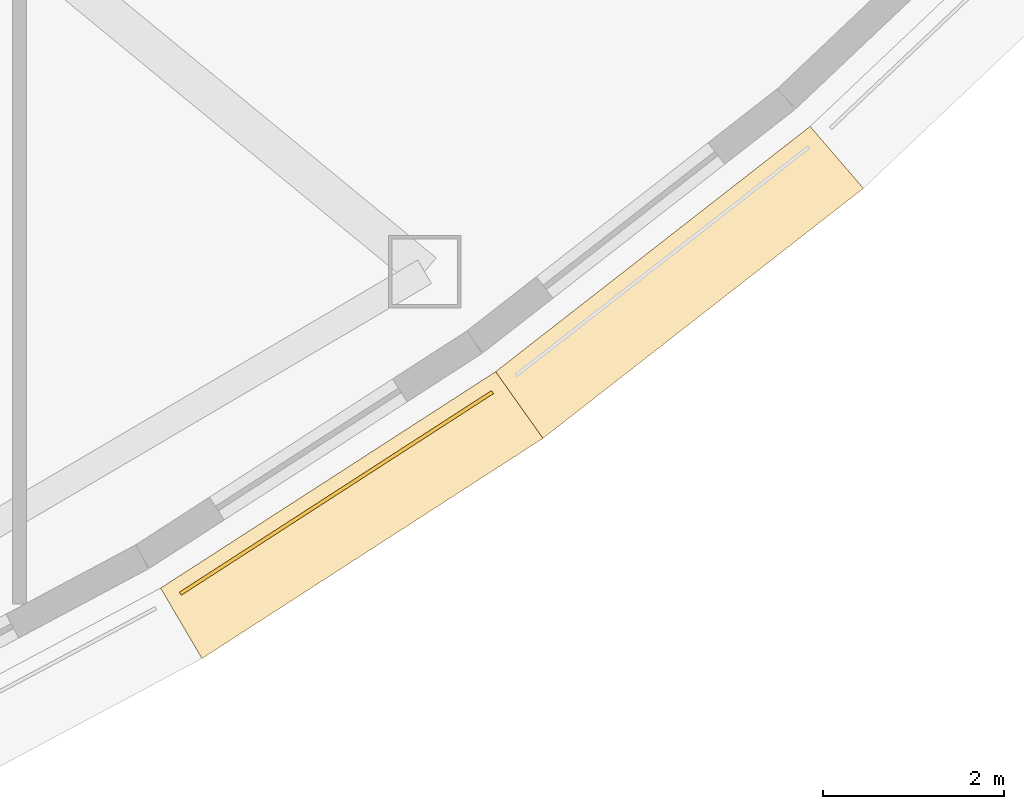
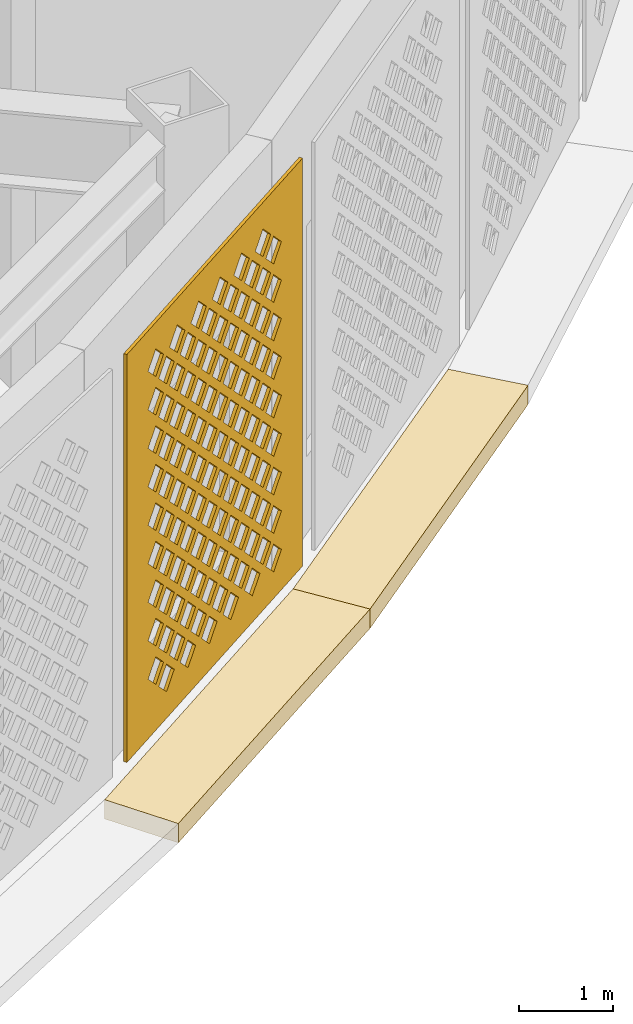
# One storey, part 68 of 74: 3 coverings.
"""IFC4 building model written with IfcOpenShell, lengths in metres."""

import ifcopenshell
import ifcopenshell.guid

model = None  # the IFC model being written
_history = None  # IfcOwnerHistory: only IFC2X3 demands one
_inside = {}  # id of a spatial element -> (the spatial element, [elements in it])
_under = {}  # id of a project, library or spatial element -> (it, [spatial elements below it])
_declared = {}  # id of a project -> (the project, [libraries it declares])
_typed = {}  # id of a type object -> (the type object, [elements of that type])
_made_of = {}  # id of a material, layer set ... -> (it, [elements and type objects made of it])


def new_model(schema):
    """Start an empty IFC model of exactly this schema.

    Asked for "IFC4X3", IfcOpenShell would pick the latest addendum, in which some entities
    have other attributes; the version numbers below select the first issue.
    IFC2X3 requires an IfcOwnerHistory on every rooted entity: one is made here for all.
    """
    global model, _history
    if schema == "IFC4X3":
        model = ifcopenshell.file(schema_version=(4, 3, 0, 0))
    else:
        model = ifcopenshell.file(schema=schema)
    _inside.clear()
    _under.clear()
    _declared.clear()
    _typed.clear()
    _made_of.clear()
    _history = None
    if model.schema == "IFC2X3":
        org = make("IfcOrganization", Name="unknown")
        user = make(
            "IfcPersonAndOrganization",
            ThePerson=make("IfcPerson", FamilyName="unknown"),
            TheOrganization=org,
        )
        app = make(
            "IfcApplication",
            ApplicationDeveloper=org,
            Version="unknown",
            ApplicationFullName="unknown",
            ApplicationIdentifier="unknown",
        )
        _history = make(
            "IfcOwnerHistory",
            OwningUser=user,
            OwningApplication=app,
            ChangeAction="ADDED",
            CreationDate=0,
        )
    return model


def make(cls, **values):
    """One entity of the class cls with the attributes given. An attribute that is None is left unset."""
    return model.create_entity(
        cls, **{name: value for name, value in values.items() if value is not None}
    )


def rooted(cls, **values):
    """An entity with a GlobalId (a new one), such as an element, a storey or a relation."""
    return make(cls, GlobalId=ifcopenshell.guid.new(), OwnerHistory=_history, **values)


def si_unit(unit_type, name, prefix=None):
    """IfcSIUnit, for example si_unit("LENGTHUNIT", "METRE", prefix="MILLI")."""
    return make("IfcSIUnit", UnitType=unit_type, Prefix=prefix, Name=name)


def assignment(units):
    """IfcUnitAssignment: the units of a project."""
    return None if units is None else make("IfcUnitAssignment", Units=units)


def point(xyz):
    """IfcCartesianPoint."""
    return None if xyz is None else make("IfcCartesianPoint", Coordinates=xyz)


def direction(xyz):
    """IfcDirection."""
    return None if xyz is None else make("IfcDirection", DirectionRatios=xyz)


def frame(location, z_axis=None, x_axis=None):
    """IfcAxis2Placement3D, a coordinate frame: its origin and axes. An axis left out is left unset."""
    return make(
        "IfcAxis2Placement3D",
        Location=point(location),
        Axis=direction(z_axis),
        RefDirection=direction(x_axis),
    )


def origin():
    """The frame at (0, 0, 0) with its axes left unset."""
    return frame((0.0, 0.0, 0.0))


def place(relative_to, where):
    """IfcLocalPlacement: puts the frame where relative to a parent placement (None: the world)."""
    return make(
        "IfcLocalPlacement", PlacementRelTo=relative_to, RelativePlacement=where
    )


def context(
    kind, dimensions, precision=None, world=None, true_north=None, identifier=None
):
    """IfcGeometricRepresentationContext, for example the 3D "Model" context."""
    return make(
        "IfcGeometricRepresentationContext",
        ContextIdentifier=identifier,
        ContextType=kind,
        CoordinateSpaceDimension=dimensions,
        Precision=precision,
        WorldCoordinateSystem=world,
        TrueNorth=true_north,
    )


def subcontext(parent, identifier, kind, view, scale=None):
    """IfcGeometricRepresentationSubContext, for example "Body" below "Model"."""
    return make(
        "IfcGeometricRepresentationSubContext",
        ContextIdentifier=identifier,
        ContextType=kind,
        ParentContext=parent,
        TargetScale=scale,
        TargetView=view,
    )


def project(units=None, contexts=None):
    """IfcProject with its units and contexts."""
    return rooted(
        "IfcProject",
        Name="project",
        RepresentationContexts=contexts,
        UnitsInContext=assignment(units),
    )


def spatial(cls, under=None, at=None, **own):
    """A site, building, storey or space (cls), placed at a placement, below another one or the project."""
    s = rooted(cls, ObjectPlacement=at, **own)
    if under is not None:
        _under.setdefault(under.id(), (under, []))[1].append(s)
    return s


def polyline(points):
    """IfcPolyline through the points."""
    return make("IfcPolyline", Points=[point(p) for p in points])


def outline(outer, holes=None, kind="AREA"):
    """IfcArbitraryClosedProfileDef: a profile drawn as a closed curve; with holes, ...WithVoids."""
    if holes is None:
        return make("IfcArbitraryClosedProfileDef", ProfileType=kind, OuterCurve=outer)
    return make(
        "IfcArbitraryProfileDefWithVoids",
        ProfileType=kind,
        OuterCurve=outer,
        InnerCurves=holes,
    )


def extrude(swept, where, along, depth):
    """IfcExtrudedAreaSolid: the profile swept, set in the frame where, extruded along a direction by depth."""
    return make(
        "IfcExtrudedAreaSolid",
        SweptArea=swept,
        Position=where,
        ExtrudedDirection=direction(along),
        Depth=depth,
    )


def shape(context_of_items, identifier, shape_type, items):
    """IfcShapeRepresentation: the items that make up one representation, for example the "Body"."""
    return make(
        "IfcShapeRepresentation",
        ContextOfItems=context_of_items,
        RepresentationIdentifier=identifier,
        RepresentationType=shape_type,
        Items=items,
    )


def material(Name=None, Category=None):
    """IfcMaterial."""
    return make("IfcMaterial", Name=Name, Category=Category)


def layer(
    of_material, thickness, ventilated=None, Name=None, Category=None, Priority=None
):
    """IfcMaterialLayer: one layer of a wall or slab, of a material (None: an air gap)."""
    return make(
        "IfcMaterialLayer",
        Material=of_material,
        LayerThickness=thickness,
        IsVentilated=ventilated,
        Name=Name,
        Category=Category,
        Priority=Priority,
    )


def layer_set(layers, Name=None):
    """IfcMaterialLayerSet."""
    return make("IfcMaterialLayerSet", MaterialLayers=layers, LayerSetName=Name)


def made_of(thing, what):
    """Note that an element or type object is made of a material, layer set ...; save() writes the relation."""
    if what is not None:
        _made_of.setdefault(what.id(), (what, []))[1].append(thing)
    return thing


def type_object(cls, material=None, **own):
    """A type object (cls), such as IfcWallType, which elements share."""
    return made_of(rooted(cls, **own), material)


def element(
    cls,
    number,
    at=None,
    inside=None,
    cuts=None,
    type_object=None,
    material=None,
    context=None,
    identifier="Body",
    shape_type=None,
    held_by="IfcProductDefinitionShape",
    body=None,
    shapes=None,
    **own,
):
    """One element of the class cls, such as IfcWall. Its Tag is "e" and its number.

    at: its placement. inside: the storey or other place that contains it. cuts: it is an
    opening in that element (IfcRelVoidsElement). A single representation is given by context,
    identifier, shape_type and body (its items); several are given by shapes. held_by: the class
    of the entity that holds the representations. save() writes the other relations.
    """
    e = rooted(cls, Tag="e%d" % number, ObjectPlacement=at, **own)
    if body is not None:
        shapes = [shape(context, identifier, shape_type, body)]
    if shapes is not None:
        e.Representation = make(held_by, Representations=shapes)
    if inside is not None:
        _inside.setdefault(inside.id(), (inside, []))[1].append(e)
    if cuts is not None:
        rooted(
            "IfcRelVoidsElement", RelatingBuildingElement=cuts, RelatedOpeningElement=e
        )
    if type_object is not None:
        _typed.setdefault(type_object.id(), (type_object, []))[1].append(e)
    return made_of(e, material)


def aggregate(whole, parts):
    """IfcRelAggregates: a whole, such as a stair, and the parts it consists of."""
    return rooted("IfcRelAggregates", RelatingObject=whole, RelatedObjects=parts)


def save(model, path):
    """Write the relations noted so far, then the file.

    IfcRelAggregates (storeys below a building ...), IfcRelContainedInSpatialStructure (elements
    in a storey), IfcRelDefinesByType, IfcRelAssociatesMaterial and IfcRelDeclares: one each for
    every whole, place, type object, material and project.
    """
    for whole, parts in _under.values():
        aggregate(whole, parts)
    for where, things in _inside.values():
        rooted(
            "IfcRelContainedInSpatialStructure",
            RelatedElements=things,
            RelatingStructure=where,
        )
    for kind, things in _typed.values():
        rooted("IfcRelDefinesByType", RelatedObjects=things, RelatingType=kind)
    for what, things in _made_of.values():
        rooted("IfcRelAssociatesMaterial", RelatedObjects=things, RelatingMaterial=what)
    for by, libraries in _declared.values():
        rooted("IfcRelDeclares", RelatingContext=by, RelatedDefinitions=libraries)
    model.write(path)


model = new_model("IFC4")

# Units and contexts
model_context = context("Model", 3, precision=1e-05, world=origin(), true_north=direction((0.0, 1.0)))
body_context = subcontext(model_context, "Body", "Model", "MODEL_VIEW")
ifc_project = project(units=[si_unit("LENGTHUNIT", "METRE"), si_unit("AREAUNIT", "SQUARE_METRE"), si_unit("VOLUMEUNIT", "CUBIC_METRE"), si_unit("PLANEANGLEUNIT", "RADIAN"), si_unit("MASSUNIT", "GRAM", prefix="KILO")], contexts=[model_context])

# Site, building, storey
site_placement = place(None, origin())
site = spatial("IfcSite", under=ifc_project, at=site_placement, CompositionType="ELEMENT")
building_placement = place(site_placement, origin())
building = spatial("IfcBuilding", under=site, at=building_placement, Name="Noorbagh Ring Tower", CompositionType="ELEMENT")
storey_placement = place(building_placement, frame((0.0, 0.0, 13.5)))
storey = spatial("IfcBuildingStorey", under=building, at=storey_placement, Name="L02", CompositionType="ELEMENT", Elevation=13.5)

# Coverings
ifc_material_1 = material(Name="Red sandstone eave", Category="masonry")
covering_type_1 = type_object("IfcCoveringType", Name="STY-CHHAJJA", PredefinedType="USERDEFINED", material=ifc_material_1)
covering_1_placement = place(storey_placement, frame((0.0, 0.0, -0.25)))
element("IfcCovering", 1, at=covering_1_placement, inside=storey, type_object=covering_type_1, Name="Chhajja eave", ObjectType="CHHAJJA", PredefinedType="USERDEFINED", context=body_context, shape_type="SweptSolid", body=[
    extrude(outline(polyline([(31.5546875, -31.793701171875), (35.247802734375, -29.408203125), (35.769775390625, -30.142578125), (32.011474609375, -32.56982421875), (31.5546875, -31.793701171875)])), origin(), (0.0, 0.0, 1.0), 0.25),
])
covering_2_placement = place(storey_placement, frame((0.0, 0.0, -0.25)))
element("IfcCovering", 2, at=covering_2_placement, inside=storey, type_object=covering_type_1, Name="Chhajja eave", ObjectType="CHHAJJA", PredefinedType="USERDEFINED", context=body_context, shape_type="SweptSolid", body=[
    extrude(outline(polyline([(35.247802734375, -29.408203125), (38.71435546875, -26.70458984375), (39.3017578125, -27.3876953125), (35.769775390625, -30.142578125), (35.247802734375, -29.408203125)])), origin(), (0.0, 0.0, 1.0), 0.25),
])
ifc_material_2 = material(Name="Red sandstone jali", Category="masonry")
ifc_layer = layer(ifc_material_2, 0.0400390625)
ifc_layer_set = layer_set([ifc_layer], Name="Red sandstone jali")
covering_type_2 = type_object("IfcCoveringType", Name="STY-JALI", PredefinedType="USERDEFINED", material=ifc_layer_set)
covering_3_placement = place(storey_placement, frame((31.78369140625, -31.871826171875, 0.449951171875), z_axis=(0.542524555296, -0.840039943634, 0.0), x_axis=(0.840039943634, 0.542524555296, 0.0)))
element("IfcCovering", 3, at=covering_3_placement, inside=storey, type_object=covering_type_2, Name="Jali screen", ObjectType="SCREEN", PredefinedType="USERDEFINED", context=body_context, shape_type="SweptSolid", body=[
    extrude(outline(polyline([(0.0, 0.0), (4.096435546875, 0.0), (4.096435546875, 5.300048828125), (0.0, 5.300048828125), (0.0, 0.0)]), holes=[polyline([(0.7431640625, 0.52490234375), (0.923095703125, 0.344970703125), (1.103271484375, 0.52490234375), (0.923095703125, 0.705078125), (0.7431640625, 0.52490234375)]), polyline([(1.2431640625, 0.52490234375), (1.423095703125, 0.344970703125), (1.603271484375, 0.52490234375), (1.423095703125, 0.705078125), (1.2431640625, 0.52490234375)]), polyline([(1.7431640625, 0.52490234375), (1.923095703125, 0.344970703125), (2.103271484375, 0.52490234375), (1.923095703125, 0.705078125), (1.7431640625, 0.52490234375)]), polyline([(2.2431640625, 0.52490234375), (2.423095703125, 0.344970703125), (2.603271484375, 0.52490234375), (2.423095703125, 0.705078125), (2.2431640625, 0.52490234375)]), polyline([(2.7431640625, 0.52490234375), (2.923095703125, 0.344970703125), (3.103271484375, 0.52490234375), (2.923095703125, 0.705078125), (2.7431640625, 0.52490234375)]), polyline([(3.2431640625, 0.52490234375), (3.423095703125, 0.344970703125), (3.603271484375, 0.52490234375), (3.423095703125, 0.705078125), (3.2431640625, 0.52490234375)]), polyline([(0.4931640625, 0.77490234375), (0.673095703125, 0.594970703125), (0.853271484375, 0.77490234375), (0.673095703125, 0.955078125), (0.4931640625, 0.77490234375)]), polyline([(0.9931640625, 0.77490234375), (1.173095703125, 0.594970703125), (1.353271484375, 0.77490234375), (1.173095703125, 0.955078125), (0.9931640625, 0.77490234375)]), polyline([(1.4931640625, 0.77490234375), (1.673095703125, 0.594970703125), (1.853271484375, 0.77490234375), (1.673095703125, 0.955078125), (1.4931640625, 0.77490234375)]), polyline([(1.9931640625, 0.77490234375), (2.173095703125, 0.594970703125), (2.353271484375, 0.77490234375), (2.173095703125, 0.955078125), (1.9931640625, 0.77490234375)]), polyline([(2.4931640625, 0.77490234375), (2.673095703125, 0.594970703125), (2.853271484375, 0.77490234375), (2.673095703125, 0.955078125), (2.4931640625, 0.77490234375)]), polyline([(2.9931640625, 0.77490234375), (3.173095703125, 0.594970703125), (3.353271484375, 0.77490234375), (3.173095703125, 0.955078125), (2.9931640625, 0.77490234375)]), polyline([(0.7431640625, 1.02490234375), (0.923095703125, 0.844970703125), (1.103271484375, 1.02490234375), (0.923095703125, 1.205078125), (0.7431640625, 1.02490234375)]), polyline([(1.2431640625, 1.02490234375), (1.423095703125, 0.844970703125), (1.603271484375, 1.02490234375), (1.423095703125, 1.205078125), (1.2431640625, 1.02490234375)]), polyline([(1.7431640625, 1.02490234375), (1.923095703125, 0.844970703125), (2.103271484375, 1.02490234375), (1.923095703125, 1.205078125), (1.7431640625, 1.02490234375)]), polyline([(2.2431640625, 1.02490234375), (2.423095703125, 0.844970703125), (2.603271484375, 1.02490234375), (2.423095703125, 1.205078125), (2.2431640625, 1.02490234375)]), polyline([(2.7431640625, 1.02490234375), (2.923095703125, 0.844970703125), (3.103271484375, 1.02490234375), (2.923095703125, 1.205078125), (2.7431640625, 1.02490234375)]), polyline([(3.2431640625, 1.02490234375), (3.423095703125, 0.844970703125), (3.603271484375, 1.02490234375), (3.423095703125, 1.205078125), (3.2431640625, 1.02490234375)]), polyline([(0.4931640625, 1.27490234375), (0.673095703125, 1.094970703125), (0.853271484375, 1.27490234375), (0.673095703125, 1.455078125), (0.4931640625, 1.27490234375)]), polyline([(0.9931640625, 1.27490234375), (1.173095703125, 1.094970703125), (1.353271484375, 1.27490234375), (1.173095703125, 1.455078125), (0.9931640625, 1.27490234375)]), polyline([(1.4931640625, 1.27490234375), (1.673095703125, 1.094970703125), (1.853271484375, 1.27490234375), (1.673095703125, 1.455078125), (1.4931640625, 1.27490234375)]), polyline([(1.9931640625, 1.27490234375), (2.173095703125, 1.094970703125), (2.353271484375, 1.27490234375), (2.173095703125, 1.455078125), (1.9931640625, 1.27490234375)]), polyline([(2.4931640625, 1.27490234375), (2.673095703125, 1.094970703125), (2.853271484375, 1.27490234375), (2.673095703125, 1.455078125), (2.4931640625, 1.27490234375)]), polyline([(2.9931640625, 1.27490234375), (3.173095703125, 1.094970703125), (3.353271484375, 1.27490234375), (3.173095703125, 1.455078125), (2.9931640625, 1.27490234375)]), polyline([(0.7431640625, 1.52490234375), (0.923095703125, 1.344970703125), (1.103271484375, 1.52490234375), (0.923095703125, 1.705078125), (0.7431640625, 1.52490234375)]), polyline([(1.2431640625, 1.52490234375), (1.423095703125, 1.344970703125), (1.603271484375, 1.52490234375), (1.423095703125, 1.705078125), (1.2431640625, 1.52490234375)]), polyline([(1.7431640625, 1.52490234375), (1.923095703125, 1.344970703125), (2.103271484375, 1.52490234375), (1.923095703125, 1.705078125), (1.7431640625, 1.52490234375)]), polyline([(2.2431640625, 1.52490234375), (2.423095703125, 1.344970703125), (2.603271484375, 1.52490234375), (2.423095703125, 1.705078125), (2.2431640625, 1.52490234375)]), polyline([(2.7431640625, 1.52490234375), (2.923095703125, 1.344970703125), (3.103271484375, 1.52490234375), (2.923095703125, 1.705078125), (2.7431640625, 1.52490234375)]), polyline([(3.2431640625, 1.52490234375), (3.423095703125, 1.344970703125), (3.603271484375, 1.52490234375), (3.423095703125, 1.705078125), (3.2431640625, 1.52490234375)]), polyline([(0.4931640625, 1.77490234375), (0.673095703125, 1.594970703125), (0.853271484375, 1.77490234375), (0.673095703125, 1.955078125), (0.4931640625, 1.77490234375)]), polyline([(0.9931640625, 1.77490234375), (1.173095703125, 1.594970703125), (1.353271484375, 1.77490234375), (1.173095703125, 1.955078125), (0.9931640625, 1.77490234375)]), polyline([(1.4931640625, 1.77490234375), (1.673095703125, 1.594970703125), (1.853271484375, 1.77490234375), (1.673095703125, 1.955078125), (1.4931640625, 1.77490234375)]), polyline([(1.9931640625, 1.77490234375), (2.173095703125, 1.594970703125), (2.353271484375, 1.77490234375), (2.173095703125, 1.955078125), (1.9931640625, 1.77490234375)]), polyline([(2.4931640625, 1.77490234375), (2.673095703125, 1.594970703125), (2.853271484375, 1.77490234375), (2.673095703125, 1.955078125), (2.4931640625, 1.77490234375)]), polyline([(2.9931640625, 1.77490234375), (3.173095703125, 1.594970703125), (3.353271484375, 1.77490234375), (3.173095703125, 1.955078125), (2.9931640625, 1.77490234375)]), polyline([(0.7431640625, 2.02490234375), (0.923095703125, 1.844970703125), (1.103271484375, 2.02490234375), (0.923095703125, 2.205078125), (0.7431640625, 2.02490234375)]), polyline([(1.2431640625, 2.02490234375), (1.423095703125, 1.844970703125), (1.603271484375, 2.02490234375), (1.423095703125, 2.205078125), (1.2431640625, 2.02490234375)]), polyline([(1.7431640625, 2.02490234375), (1.923095703125, 1.844970703125), (2.103271484375, 2.02490234375), (1.923095703125, 2.205078125), (1.7431640625, 2.02490234375)]), polyline([(2.2431640625, 2.02490234375), (2.423095703125, 1.844970703125), (2.603271484375, 2.02490234375), (2.423095703125, 2.205078125), (2.2431640625, 2.02490234375)]), polyline([(2.7431640625, 2.02490234375), (2.923095703125, 1.844970703125), (3.103271484375, 2.02490234375), (2.923095703125, 2.205078125), (2.7431640625, 2.02490234375)]), polyline([(3.2431640625, 2.02490234375), (3.423095703125, 1.844970703125), (3.603271484375, 2.02490234375), (3.423095703125, 2.205078125), (3.2431640625, 2.02490234375)]), polyline([(0.4931640625, 2.27490234375), (0.673095703125, 2.094970703125), (0.853271484375, 2.27490234375), (0.673095703125, 2.455078125), (0.4931640625, 2.27490234375)]), polyline([(0.9931640625, 2.27490234375), (1.173095703125, 2.094970703125), (1.353271484375, 2.27490234375), (1.173095703125, 2.455078125), (0.9931640625, 2.27490234375)]), polyline([(1.4931640625, 2.27490234375), (1.673095703125, 2.094970703125), (1.853271484375, 2.27490234375), (1.673095703125, 2.455078125), (1.4931640625, 2.27490234375)]), polyline([(1.9931640625, 2.27490234375), (2.173095703125, 2.094970703125), (2.353271484375, 2.27490234375), (2.173095703125, 2.455078125), (1.9931640625, 2.27490234375)]), polyline([(2.4931640625, 2.27490234375), (2.673095703125, 2.094970703125), (2.853271484375, 2.27490234375), (2.673095703125, 2.455078125), (2.4931640625, 2.27490234375)]), polyline([(2.9931640625, 2.27490234375), (3.173095703125, 2.094970703125), (3.353271484375, 2.27490234375), (3.173095703125, 2.455078125), (2.9931640625, 2.27490234375)]), polyline([(0.7431640625, 2.52490234375), (0.923095703125, 2.344970703125), (1.103271484375, 2.52490234375), (0.923095703125, 2.705078125), (0.7431640625, 2.52490234375)]), polyline([(1.2431640625, 2.52490234375), (1.423095703125, 2.344970703125), (1.603271484375, 2.52490234375), (1.423095703125, 2.705078125), (1.2431640625, 2.52490234375)]), polyline([(1.7431640625, 2.52490234375), (1.923095703125, 2.344970703125), (2.103271484375, 2.52490234375), (1.923095703125, 2.705078125), (1.7431640625, 2.52490234375)]), polyline([(2.2431640625, 2.52490234375), (2.423095703125, 2.344970703125), (2.603271484375, 2.52490234375), (2.423095703125, 2.705078125), (2.2431640625, 2.52490234375)]), polyline([(2.7431640625, 2.52490234375), (2.923095703125, 2.344970703125), (3.103271484375, 2.52490234375), (2.923095703125, 2.705078125), (2.7431640625, 2.52490234375)]), polyline([(3.2431640625, 2.52490234375), (3.423095703125, 2.344970703125), (3.603271484375, 2.52490234375), (3.423095703125, 2.705078125), (3.2431640625, 2.52490234375)]), polyline([(0.4931640625, 2.77490234375), (0.673095703125, 2.594970703125), (0.853271484375, 2.77490234375), (0.673095703125, 2.955078125), (0.4931640625, 2.77490234375)]), polyline([(0.9931640625, 2.77490234375), (1.173095703125, 2.594970703125), (1.353271484375, 2.77490234375), (1.173095703125, 2.955078125), (0.9931640625, 2.77490234375)]), polyline([(1.4931640625, 2.77490234375), (1.673095703125, 2.594970703125), (1.853271484375, 2.77490234375), (1.673095703125, 2.955078125), (1.4931640625, 2.77490234375)]), polyline([(1.9931640625, 2.77490234375), (2.173095703125, 2.594970703125), (2.353271484375, 2.77490234375), (2.173095703125, 2.955078125), (1.9931640625, 2.77490234375)]), polyline([(2.4931640625, 2.77490234375), (2.673095703125, 2.594970703125), (2.853271484375, 2.77490234375), (2.673095703125, 2.955078125), (2.4931640625, 2.77490234375)]), polyline([(2.9931640625, 2.77490234375), (3.173095703125, 2.594970703125), (3.353271484375, 2.77490234375), (3.173095703125, 2.955078125), (2.9931640625, 2.77490234375)]), polyline([(0.7431640625, 3.02490234375), (0.923095703125, 2.844970703125), (1.103271484375, 3.02490234375), (0.923095703125, 3.205078125), (0.7431640625, 3.02490234375)]), polyline([(1.2431640625, 3.02490234375), (1.423095703125, 2.844970703125), (1.603271484375, 3.02490234375), (1.423095703125, 3.205078125), (1.2431640625, 3.02490234375)]), polyline([(1.7431640625, 3.02490234375), (1.923095703125, 2.844970703125), (2.103271484375, 3.02490234375), (1.923095703125, 3.205078125), (1.7431640625, 3.02490234375)]), polyline([(2.2431640625, 3.02490234375), (2.423095703125, 2.844970703125), (2.603271484375, 3.02490234375), (2.423095703125, 3.205078125), (2.2431640625, 3.02490234375)]), polyline([(2.7431640625, 3.02490234375), (2.923095703125, 2.844970703125), (3.103271484375, 3.02490234375), (2.923095703125, 3.205078125), (2.7431640625, 3.02490234375)]), polyline([(3.2431640625, 3.02490234375), (3.423095703125, 2.844970703125), (3.603271484375, 3.02490234375), (3.423095703125, 3.205078125), (3.2431640625, 3.02490234375)]), polyline([(0.4931640625, 3.27490234375), (0.673095703125, 3.094970703125), (0.853271484375, 3.27490234375), (0.673095703125, 3.455078125), (0.4931640625, 3.27490234375)]), polyline([(0.9931640625, 3.27490234375), (1.173095703125, 3.094970703125), (1.353271484375, 3.27490234375), (1.173095703125, 3.455078125), (0.9931640625, 3.27490234375)]), polyline([(1.4931640625, 3.27490234375), (1.673095703125, 3.094970703125), (1.853271484375, 3.27490234375), (1.673095703125, 3.455078125), (1.4931640625, 3.27490234375)]), polyline([(1.9931640625, 3.27490234375), (2.173095703125, 3.094970703125), (2.353271484375, 3.27490234375), (2.173095703125, 3.455078125), (1.9931640625, 3.27490234375)]), polyline([(2.4931640625, 3.27490234375), (2.673095703125, 3.094970703125), (2.853271484375, 3.27490234375), (2.673095703125, 3.455078125), (2.4931640625, 3.27490234375)]), polyline([(2.9931640625, 3.27490234375), (3.173095703125, 3.094970703125), (3.353271484375, 3.27490234375), (3.173095703125, 3.455078125), (2.9931640625, 3.27490234375)]), polyline([(0.7431640625, 3.52490234375), (0.923095703125, 3.344970703125), (1.103271484375, 3.52490234375), (0.923095703125, 3.705078125), (0.7431640625, 3.52490234375)]), polyline([(1.2431640625, 3.52490234375), (1.423095703125, 3.344970703125), (1.603271484375, 3.52490234375), (1.423095703125, 3.705078125), (1.2431640625, 3.52490234375)]), polyline([(1.7431640625, 3.52490234375), (1.923095703125, 3.344970703125), (2.103271484375, 3.52490234375), (1.923095703125, 3.705078125), (1.7431640625, 3.52490234375)]), polyline([(2.2431640625, 3.52490234375), (2.423095703125, 3.344970703125), (2.603271484375, 3.52490234375), (2.423095703125, 3.705078125), (2.2431640625, 3.52490234375)]), polyline([(2.7431640625, 3.52490234375), (2.923095703125, 3.344970703125), (3.103271484375, 3.52490234375), (2.923095703125, 3.705078125), (2.7431640625, 3.52490234375)]), polyline([(3.2431640625, 3.52490234375), (3.423095703125, 3.344970703125), (3.603271484375, 3.52490234375), (3.423095703125, 3.705078125), (3.2431640625, 3.52490234375)]), polyline([(0.4931640625, 3.77490234375), (0.673095703125, 3.594970703125), (0.853271484375, 3.77490234375), (0.673095703125, 3.955078125), (0.4931640625, 3.77490234375)]), polyline([(0.9931640625, 3.77490234375), (1.173095703125, 3.594970703125), (1.353271484375, 3.77490234375), (1.173095703125, 3.955078125), (0.9931640625, 3.77490234375)]), polyline([(1.4931640625, 3.77490234375), (1.673095703125, 3.594970703125), (1.853271484375, 3.77490234375), (1.673095703125, 3.955078125), (1.4931640625, 3.77490234375)]), polyline([(1.9931640625, 3.77490234375), (2.173095703125, 3.594970703125), (2.353271484375, 3.77490234375), (2.173095703125, 3.955078125), (1.9931640625, 3.77490234375)]), polyline([(2.4931640625, 3.77490234375), (2.673095703125, 3.594970703125), (2.853271484375, 3.77490234375), (2.673095703125, 3.955078125), (2.4931640625, 3.77490234375)]), polyline([(2.9931640625, 3.77490234375), (3.173095703125, 3.594970703125), (3.353271484375, 3.77490234375), (3.173095703125, 3.955078125), (2.9931640625, 3.77490234375)]), polyline([(0.7431640625, 4.02490234375), (0.923095703125, 3.844970703125), (1.103271484375, 4.02490234375), (0.923095703125, 4.205078125), (0.7431640625, 4.02490234375)]), polyline([(1.2431640625, 4.02490234375), (1.423095703125, 3.844970703125), (1.603271484375, 4.02490234375), (1.423095703125, 4.205078125), (1.2431640625, 4.02490234375)]), polyline([(1.7431640625, 4.02490234375), (1.923095703125, 3.844970703125), (2.103271484375, 4.02490234375), (1.923095703125, 4.205078125), (1.7431640625, 4.02490234375)]), polyline([(2.2431640625, 4.02490234375), (2.423095703125, 3.844970703125), (2.603271484375, 4.02490234375), (2.423095703125, 4.205078125), (2.2431640625, 4.02490234375)]), polyline([(2.7431640625, 4.02490234375), (2.923095703125, 3.844970703125), (3.103271484375, 4.02490234375), (2.923095703125, 4.205078125), (2.7431640625, 4.02490234375)]), polyline([(3.2431640625, 4.02490234375), (3.423095703125, 3.844970703125), (3.603271484375, 4.02490234375), (3.423095703125, 4.205078125), (3.2431640625, 4.02490234375)]), polyline([(0.4931640625, 4.27490234375), (0.673095703125, 4.094970703125), (0.853271484375, 4.27490234375), (0.673095703125, 4.455078125), (0.4931640625, 4.27490234375)]), polyline([(0.9931640625, 4.27490234375), (1.173095703125, 4.094970703125), (1.353271484375, 4.27490234375), (1.173095703125, 4.455078125), (0.9931640625, 4.27490234375)]), polyline([(1.4931640625, 4.27490234375), (1.673095703125, 4.094970703125), (1.853271484375, 4.27490234375), (1.673095703125, 4.455078125), (1.4931640625, 4.27490234375)]), polyline([(1.9931640625, 4.27490234375), (2.173095703125, 4.094970703125), (2.353271484375, 4.27490234375), (2.173095703125, 4.455078125), (1.9931640625, 4.27490234375)]), polyline([(2.4931640625, 4.27490234375), (2.673095703125, 4.094970703125), (2.853271484375, 4.27490234375), (2.673095703125, 4.455078125), (2.4931640625, 4.27490234375)]), polyline([(2.9931640625, 4.27490234375), (3.173095703125, 4.094970703125), (3.353271484375, 4.27490234375), (3.173095703125, 4.455078125), (2.9931640625, 4.27490234375)]), polyline([(0.7431640625, 4.52490234375), (0.923095703125, 4.344970703125), (1.103271484375, 4.52490234375), (0.923095703125, 4.705078125), (0.7431640625, 4.52490234375)]), polyline([(1.2431640625, 4.52490234375), (1.423095703125, 4.344970703125), (1.603271484375, 4.52490234375), (1.423095703125, 4.705078125), (1.2431640625, 4.52490234375)]), polyline([(1.7431640625, 4.52490234375), (1.923095703125, 4.344970703125), (2.103271484375, 4.52490234375), (1.923095703125, 4.705078125), (1.7431640625, 4.52490234375)]), polyline([(2.2431640625, 4.52490234375), (2.423095703125, 4.344970703125), (2.603271484375, 4.52490234375), (2.423095703125, 4.705078125), (2.2431640625, 4.52490234375)]), polyline([(2.7431640625, 4.52490234375), (2.923095703125, 4.344970703125), (3.103271484375, 4.52490234375), (2.923095703125, 4.705078125), (2.7431640625, 4.52490234375)]), polyline([(3.2431640625, 4.52490234375), (3.423095703125, 4.344970703125), (3.603271484375, 4.52490234375), (3.423095703125, 4.705078125), (3.2431640625, 4.52490234375)]), polyline([(0.4931640625, 4.77490234375), (0.673095703125, 4.594970703125), (0.853271484375, 4.77490234375), (0.673095703125, 4.955078125), (0.4931640625, 4.77490234375)]), polyline([(0.9931640625, 4.77490234375), (1.173095703125, 4.594970703125), (1.353271484375, 4.77490234375), (1.173095703125, 4.955078125), (0.9931640625, 4.77490234375)]), polyline([(1.4931640625, 4.77490234375), (1.673095703125, 4.594970703125), (1.853271484375, 4.77490234375), (1.673095703125, 4.955078125), (1.4931640625, 4.77490234375)]), polyline([(1.9931640625, 4.77490234375), (2.173095703125, 4.594970703125), (2.353271484375, 4.77490234375), (2.173095703125, 4.955078125), (1.9931640625, 4.77490234375)]), polyline([(2.4931640625, 4.77490234375), (2.673095703125, 4.594970703125), (2.853271484375, 4.77490234375), (2.673095703125, 4.955078125), (2.4931640625, 4.77490234375)]), polyline([(2.9931640625, 4.77490234375), (3.173095703125, 4.594970703125), (3.353271484375, 4.77490234375), (3.173095703125, 4.955078125), (2.9931640625, 4.77490234375)])]), origin(), (0.0, 0.0, -1.0), 0.0400390625),
])

save(model, "model.ifc")
